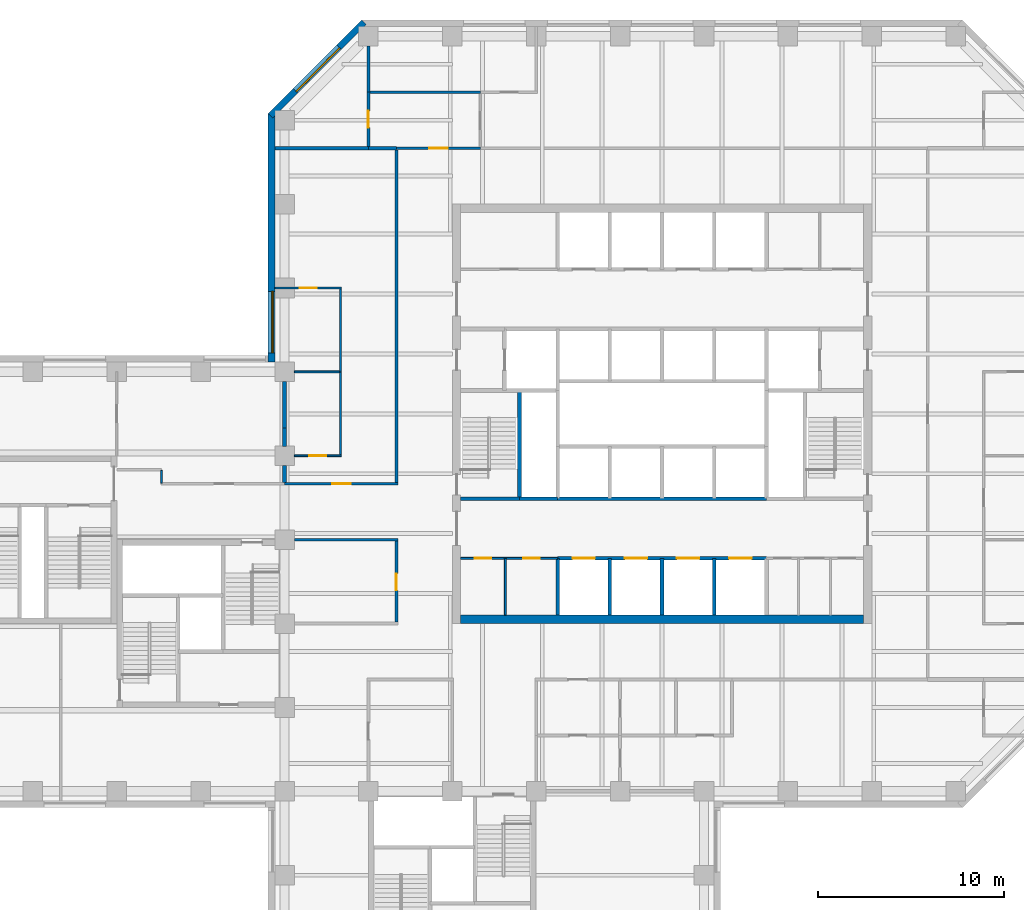
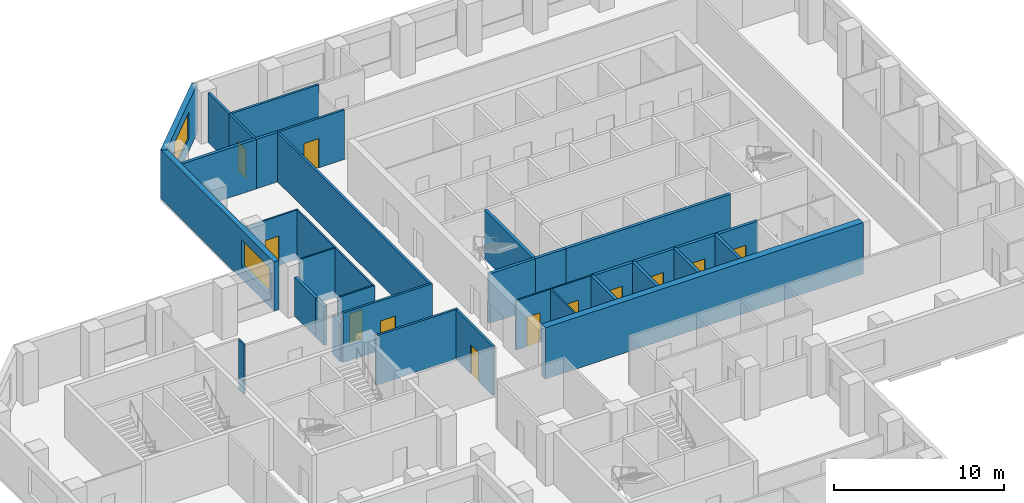
# One storey, part 6 of 10: 33 walls, 12 doors, 2 windows, 14 openings.
"""IFC4 building model written with IfcOpenShell, lengths in metres."""

from ifc_helpers import new_model, si_unit, direction, frame, frame_2d, origin, place, context, subcontext, project, spatial, rectangle, extrude, material, layer, layer_set, constituent, constituent_set, type_object, element, fill, save


model = new_model("IFC4")

# Units and contexts
model_context = context("Model", 3, precision=1e-05, world=origin(), true_north=direction((0.0, 1.0)))
body_context = subcontext(model_context, "Body", "Model", "MODEL_VIEW")
ifc_project = project(units=[si_unit("LENGTHUNIT", "METRE"), si_unit("AREAUNIT", "SQUARE_METRE"), si_unit("VOLUMEUNIT", "CUBIC_METRE"), si_unit("PLANEANGLEUNIT", "RADIAN"), si_unit("MASSUNIT", "GRAM", prefix="KILO")], contexts=[model_context])

# Site, building, storey
site_placement = place(None, origin())
site = spatial("IfcSite", under=ifc_project, at=site_placement, CompositionType="ELEMENT")
building_placement = place(site_placement, origin())
building = spatial("IfcBuilding", under=site, at=building_placement, Name="Quoin Convention Tower", CompositionType="ELEMENT")
storey_placement = place(building_placement, frame((0.0, 0.0, 86.300048828125)))
storey = spatial("IfcBuildingStorey", under=building, at=storey_placement, Name="L22", CompositionType="ELEMENT", Elevation=86.300048828125)

# Wall
ifc_material_1 = material(Name="Plasterboard")
ifc_layer_1 = layer(ifc_material_1, 0.012451171875, Name="Finish")
ifc_material_2 = material(Name="Steel stud framing", Category="steel")
ifc_layer_2 = layer(ifc_material_2, 0.125, Name="Structure")
ifc_layer_3 = layer(ifc_material_1, 0.012451171875, Name="Finish")
ifc_layer_set_1 = layer_set([ifc_layer_1, ifc_layer_2, ifc_layer_3], Name="Steel stud framing")
wall_type_1 = type_object("IfcWallType", Name="Acoustic partition 150", PredefinedType="PARTITIONING", material=ifc_layer_set_1)
wall_1_placement = place(storey_placement, frame((40.574951171875, 78.0, 0.0), z_axis=(0.0, 0.0, 1.0), x_axis=(1.0, 0.0, 0.0)))
element("IfcWall", 1, at=wall_1_placement, inside=storey, type_object=wall_type_1, Name="pw-L22-054", PredefinedType="PARTITIONING", context=body_context, shape_type="SweptSolid", body=[
    extrude(rectangle(XDim=5.925048828125, YDim=0.14990234375, at=frame_2d((2.96240234375, 0.0))), origin(), (0.0, 0.0, 1.0), 3.550048828125),
])

# Wall, opening, door
wall_2_placement = place(storey_placement, frame((40.5, 75.10009765625, 0.0), z_axis=(0.0, 0.0, 1.0), x_axis=(0.0, 1.0, 0.0)))
wall_2 = element("IfcWall", 2, at=wall_2_placement, inside=storey, type_object=wall_type_1, Name="pw-L22-100", PredefinedType="PARTITIONING", context=body_context, shape_type="SweptSolid", body=[
    extrude(rectangle(XDim=2.89990234375, YDim=0.14990234375, at=frame_2d((1.449951171875, 0.0))), origin(), (0.0, 0.0, 1.0), 3.550048828125),
])
opening_1_placement = place(wall_2_placement, frame((1.0, 0.0, 0.0)))
opening_1 = element("IfcOpeningElement", 3, at=opening_1_placement, cuts=wall_2, Name="Opening DOL2-29", PredefinedType="OPENING", context=body_context, shape_type="SweptSolid", body=[
    extrude(rectangle(XDim=0.89990234375, YDim=2.10009765625, at=frame_2d((0.449951171875, 1.050048828125))), frame((0.0, 0.0849609375, 0.0), z_axis=(0.0, -1.0, 0.0), x_axis=(1.0, 0.0, 0.0)), (0.0, 0.0, 1.0), 0.169921875),
])
ifc_material_3 = material(Name="Steel door leaf", Category="steel")
door_type_1 = type_object("IfcDoorType", Name="Office door 900 x 2100", OperationType="SINGLE_SWING_RIGHT", PredefinedType="DOOR", material=ifc_material_3)
door_1_placement = place(opening_1_placement, origin())
door_1 = element("IfcDoor", 4, at=door_1_placement, inside=storey, type_object=door_type_1, Name="dr-L22-34", OperationType="SINGLE_SWING_RIGHT", OverallHeight=2.10009765625, OverallWidth=0.89990234375, PredefinedType="DOOR", context=body_context, shape_type="SweptSolid", body=[
    extrude(rectangle(XDim=0.89990234375, YDim=2.10009765625, at=frame_2d((0.449951171875, 1.050048828125))), frame((0.0, 0.02490234375, 0.0), z_axis=(0.0, -1.0, 0.0), x_axis=(1.0, 0.0, 0.0)), (0.0, 0.0, 1.0), 0.050048828125),
])
fill(opening_1, door_1)

# Wall
wall_3_placement = place(storey_placement, frame((40.5, 78.0, 0.0), z_axis=(0.0, 0.0, 1.0), x_axis=(0.0, 1.0, 0.0)))
element("IfcWall", 5, at=wall_3_placement, inside=storey, type_object=wall_type_1, Name="pw-L22-102", PredefinedType="PARTITIONING", context=body_context, shape_type="SweptSolid", body=[
    extrude(rectangle(XDim=2.47509765625, YDim=0.14990234375, at=frame_2d((1.237548828125, 0.0))), origin(), (0.0, 0.0, 1.0), 3.550048828125),
])

# Wall, opening, window
ifc_material_4 = material(Name="Brick masonry", Category="masonry")
ifc_layer_4 = layer(ifc_material_4, 0.35009765625)
ifc_layer_set_2 = layer_set([ifc_layer_4], Name="Brick masonry")
wall_type_2 = type_object("IfcWallType", Name="Brick facade wall", PredefinedType="STANDARD", material=ifc_layer_set_2)
wall_4_placement = place(storey_placement, frame((40.26123046875, 81.751220703125, 0.0), z_axis=(0.0, 0.0, 1.0), x_axis=(-0.707106781187, -0.707106781187, 0.0)))
wall_4 = element("IfcWall", 6, at=wall_4_placement, inside=storey, type_object=wall_type_2, Name="fw-L22-40500_81000", PredefinedType="STANDARD", context=body_context, shape_type="SweptSolid", body=[
    extrude(rectangle(XDim=7.088623046875, YDim=0.35009765625, at=frame_2d((3.54443359375, 0.0))), origin(), (0.0, 0.0, 1.0), 3.52490234375),
])
opening_2_placement = place(wall_4_placement, frame((1.894287109375, 0.0, 0.89990234375)))
opening_2 = element("IfcOpeningElement", 7, at=opening_2_placement, cuts=wall_4, Name="Opening W-02", PredefinedType="OPENING", context=body_context, shape_type="SweptSolid", body=[
    extrude(rectangle(XDim=3.300048828125, YDim=1.89990234375, at=frame_2d((1.64990234375, 0.949951171875))), frame((0.0, 0.18505859375, 0.0), z_axis=(0.0, -1.0, 0.0), x_axis=(1.0, 0.0, 0.0)), (0.0, 0.0, 1.0), 0.3701171875),
])
ifc_material_5 = material(Name="Aluminium", Category="aluminium")
ifc_constituent_1 = constituent(ifc_material_5, Name="Frame")
ifc_material_6 = material(Name="Insulated glass", Category="glass")
ifc_constituent_2 = constituent(ifc_material_6, Name="Glazing")
ifc_constituent_set = constituent_set(constituents=[ifc_constituent_1, ifc_constituent_2], Name="Aluminium")
window_type = type_object("IfcWindowType", Name="Office window", PartitioningType="DOUBLE_PANEL_VERTICAL", PredefinedType="WINDOW", material=ifc_constituent_set)
window_1_placement = place(opening_2_placement, origin())
window_1 = element("IfcWindow", 8, at=window_1_placement, inside=storey, type_object=window_type, Name="win-L22-37755_79245", OverallHeight=1.89990234375, OverallWidth=3.300048828125, PartitioningType="SINGLE_PANEL", PredefinedType="WINDOW", context=body_context, shape_type="SweptSolid", body=[
    extrude(rectangle(XDim=3.300048828125, YDim=1.89990234375, at=frame_2d((1.64990234375, 0.949951171875))), frame((0.0, 0.0849609375, 0.0), z_axis=(0.0, -1.0, 0.0), x_axis=(1.0, 0.0, 0.0)), (0.0, 0.0, 1.0), 0.06005859375),
])
fill(opening_2, window_1)

wall_5_placement = place(storey_placement, frame((35.300048828125, 76.8623046875, 0.0), z_axis=(0.0, 0.0, 1.0), x_axis=(0.0, -1.0, 0.0)))
wall_5 = element("IfcWall", 9, at=wall_5_placement, inside=storey, type_object=wall_type_2, Name="fw-L22-36000_76500", PredefinedType="STANDARD", context=body_context, shape_type="SweptSolid", body=[
    extrude(rectangle(XDim=13.33740234375, YDim=0.35009765625, at=frame_2d((6.668701171875, 0.0))), origin(), (0.0, 0.0, 1.0), 3.52490234375),
])
opening_3_placement = place(wall_5_placement, frame((9.537353515625, 0.0, 0.89990234375)))
opening_3 = element("IfcOpeningElement", 10, at=opening_3_placement, cuts=wall_5, Name="Opening W-02", PredefinedType="OPENING", context=body_context, shape_type="SweptSolid", body=[
    extrude(rectangle(XDim=3.300048828125, YDim=1.89990234375, at=frame_2d((1.64990234375, 0.949951171875))), frame((0.0, 0.18505859375, 0.0), z_axis=(0.0, -1.0, 0.0), x_axis=(1.0, 0.0, 0.0)), (0.0, 0.0, 1.0), 0.3701171875),
])
window_2_placement = place(opening_3_placement, origin())
window_2 = element("IfcWindow", 11, at=window_2_placement, inside=storey, type_object=window_type, Name="win-L22-35300_65250", OverallHeight=1.89990234375, OverallWidth=3.300048828125, PartitioningType="SINGLE_PANEL", PredefinedType="WINDOW", context=body_context, shape_type="SweptSolid", body=[
    extrude(rectangle(XDim=3.300048828125, YDim=1.89990234375, at=frame_2d((1.64990234375, 0.949951171875))), frame((0.0, 0.0849609375, 0.0), z_axis=(0.0, -1.0, 0.0), x_axis=(1.0, 0.0, 0.0)), (0.0, 0.0, 1.0), 0.06005859375),
])
fill(opening_3, window_2)

# Wall, openings, doors
ifc_layer_5 = layer(ifc_material_1, 0.012451171875, Name="Finish")
ifc_layer_6 = layer(ifc_material_2, 0.074951171875, Name="Structure")
ifc_layer_7 = layer(ifc_material_1, 0.012451171875, Name="Finish")
ifc_layer_set_3 = layer_set([ifc_layer_5, ifc_layer_6, ifc_layer_7], Name="Steel stud framing")
wall_type_3 = type_object("IfcWallType", Name="Core partition wall", PredefinedType="PARTITIONING", material=ifc_layer_set_3)
wall_6_placement = place(storey_placement, frame((45.449951171875, 53.0, 0.0), z_axis=(0.0, 0.0, 1.0), x_axis=(1.0, 0.0, 0.0)))
wall_6 = element("IfcWall", 12, at=wall_6_placement, inside=storey, type_object=wall_type_3, Name="cr-C1-L22-h3500_450", PredefinedType="PARTITIONING", context=body_context, shape_type="SweptSolid", body=[
    extrude(rectangle(XDim=5.199951171875, YDim=0.10009765625, at=frame_2d((2.60009765625, 0.0))), origin(), (0.0, 0.0, 1.0), 3.550048828125),
])
opening_4_placement = place(wall_6_placement, frame((0.74609375, 0.0, 0.0)))
opening_4 = element("IfcOpeningElement", 13, at=opening_4_placement, cuts=wall_6, Name="Opening DCV2-33", PredefinedType="OPENING", context=body_context, shape_type="SweptSolid", body=[
    extrude(rectangle(XDim=0.89990234375, YDim=2.10009765625, at=frame_2d((0.449951171875, 1.050048828125))), frame((0.0, 0.06005859375, 0.0), z_axis=(0.0, -1.0, 0.0), x_axis=(1.0, 0.0, 0.0)), (0.0, 0.0, 1.0), 0.1201171875),
])
opening_5_placement = place(wall_6_placement, frame((3.345947265625, 0.0, 0.0)))
opening_5 = element("IfcOpeningElement", 14, at=opening_5_placement, cuts=wall_6, Name="Opening DCV2-34", PredefinedType="OPENING", context=body_context, shape_type="SweptSolid", body=[
    extrude(rectangle(XDim=0.89990234375, YDim=2.10009765625, at=frame_2d((0.449951171875, 1.050048828125))), frame((0.0, 0.06005859375, 0.0), z_axis=(0.0, -1.0, 0.0), x_axis=(1.0, 0.0, 0.0)), (0.0, 0.0, 1.0), 0.1201171875),
])
door_type_2 = type_object("IfcDoorType", Name="Core room door 900 x 2100", OperationType="SINGLE_SWING_LEFT", PredefinedType="DOOR", material=ifc_material_3)
door_2_placement = place(opening_4_placement, frame((0.89990234375, 0.0, 0.0), z_axis=(0.0, 0.0, 1.0), x_axis=(-1.0, 0.0, 0.0)))
door_2 = element("IfcDoor", 15, at=door_2_placement, inside=storey, type_object=door_type_2, Name="cd-C1-L22-CSW0-lobA-CD2213", OperationType="SINGLE_SWING_LEFT", OverallHeight=2.10009765625, OverallWidth=0.89990234375, PredefinedType="DOOR", context=body_context, shape_type="SweptSolid", body=[
    extrude(rectangle(XDim=0.89990234375, YDim=2.10009765625, at=frame_2d((0.449951171875, 1.050048828125))), frame((0.0, 0.02490234375, 0.0), z_axis=(0.0, -1.0, 0.0), x_axis=(1.0, 0.0, 0.0)), (0.0, 0.0, 1.0), 0.050048828125),
])
fill(opening_4, door_2)
door_3_placement = place(opening_5_placement, frame((0.89990234375, 0.0, 0.0), z_axis=(0.0, 0.0, 1.0), x_axis=(-1.0, 0.0, 0.0)))
door_3 = element("IfcDoor", 16, at=door_3_placement, inside=storey, type_object=door_type_2, Name="cd-C1-L22-CSW1-lobA-CD2214", OperationType="SINGLE_SWING_LEFT", OverallHeight=2.10009765625, OverallWidth=0.89990234375, PredefinedType="DOOR", context=body_context, shape_type="SweptSolid", body=[
    extrude(rectangle(XDim=0.89990234375, YDim=2.10009765625, at=frame_2d((0.449951171875, 1.050048828125))), frame((0.0, 0.02490234375, 0.0), z_axis=(0.0, -1.0, 0.0), x_axis=(1.0, 0.0, 0.0)), (0.0, 0.0, 1.0), 0.050048828125),
])
fill(opening_5, door_3)

# Wall
wall_7_placement = place(storey_placement, frame((47.842041015625, 49.949951171875, 0.0), z_axis=(0.0, 0.0, 1.0), x_axis=(0.0, 1.0, 0.0)))
element("IfcWall", 17, at=wall_7_placement, inside=storey, type_object=wall_type_3, Name="cr-C1-L22-v2842_450", PredefinedType="PARTITIONING", context=body_context, shape_type="SweptSolid", body=[
    extrude(rectangle(XDim=3.050048828125, YDim=0.10009765625, at=frame_2d((1.52490234375, 0.0))), origin(), (0.0, 0.0, 1.0), 3.550048828125),
])

# Wall, openings, doors
ifc_material_7 = material(Name="Concrete C50", Category="concrete")
ifc_layer_8 = layer(ifc_material_7, 0.199951171875)
ifc_layer_set_4 = layer_set([ifc_layer_8], Name="Concrete C50")
wall_type_4 = type_object("IfcWallType", Name="Core shaft wall", PredefinedType="SOLIDWALL", material=ifc_layer_set_4)
wall_8_placement = place(storey_placement, frame((50.64990234375, 53.0, 0.0), z_axis=(0.0, 0.0, 1.0), x_axis=(1.0, 0.0, 0.0)))
wall_8 = element("IfcWall", 18, at=wall_8_placement, inside=storey, type_object=wall_type_4, Name="cr-C1-L22-h3500_5650", PredefinedType="SOLIDWALL", context=body_context, shape_type="SweptSolid", body=[
    extrude(rectangle(XDim=11.2001953125, YDim=0.199951171875, at=frame_2d((5.60009765625, 0.0))), origin(), (0.0, 0.0, 1.0), 3.550048828125),
])
opening_6_placement = place(wall_8_placement, frame((0.800048828125, 0.0, 0.0)))
opening_6 = element("IfcOpeningElement", 19, at=opening_6_placement, cuts=wall_8, Name="Opening LDL1", PredefinedType="OPENING", context=body_context, shape_type="SweptSolid", body=[
    extrude(rectangle(XDim=1.199951171875, YDim=2.10009765625, at=frame_2d((0.60009765625, 1.050048828125))), frame((0.0, 0.10986328125, 0.0), z_axis=(0.0, -1.0, 0.0), x_axis=(1.0, 0.0, 0.0)), (0.0, 0.0, 1.0), 0.219970703125),
])
opening_7_placement = place(wall_8_placement, frame((3.60009765625, 0.0, 0.0)))
opening_7 = element("IfcOpeningElement", 20, at=opening_7_placement, cuts=wall_8, Name="Opening LDL2", PredefinedType="OPENING", context=body_context, shape_type="SweptSolid", body=[
    extrude(rectangle(XDim=1.199951171875, YDim=2.10009765625, at=frame_2d((0.60009765625, 1.050048828125))), frame((0.0, 0.10986328125, 0.0), z_axis=(0.0, -1.0, 0.0), x_axis=(1.0, 0.0, 0.0)), (0.0, 0.0, 1.0), 0.219970703125),
])
opening_8_placement = place(wall_8_placement, frame((6.39990234375, 0.0, 0.0)))
opening_8 = element("IfcOpeningElement", 21, at=opening_8_placement, cuts=wall_8, Name="Opening LDL3", PredefinedType="OPENING", context=body_context, shape_type="SweptSolid", body=[
    extrude(rectangle(XDim=1.199951171875, YDim=2.10009765625, at=frame_2d((0.60009765625, 1.050048828125))), frame((0.0, 0.10986328125, 0.0), z_axis=(0.0, -1.0, 0.0), x_axis=(1.0, 0.0, 0.0)), (0.0, 0.0, 1.0), 0.219970703125),
])
opening_9_placement = place(wall_8_placement, frame((9.199951171875, 0.0, 0.0)))
opening_9 = element("IfcOpeningElement", 22, at=opening_9_placement, cuts=wall_8, Name="Opening LDL4", PredefinedType="OPENING", context=body_context, shape_type="SweptSolid", body=[
    extrude(rectangle(XDim=1.199951171875, YDim=2.10009765625, at=frame_2d((0.60009765625, 1.050048828125))), frame((0.0, 0.10986328125, 0.0), z_axis=(0.0, -1.0, 0.0), x_axis=(1.0, 0.0, 0.0)), (0.0, 0.0, 1.0), 0.219970703125),
])
door_type_3 = type_object("IfcDoorType", Name="Lift landing door 1200 x 2100", OperationType="DOUBLE_DOOR_SLIDING", PredefinedType="DOOR", material=ifc_material_3)
door_4_placement = place(opening_6_placement, origin())
door_4 = element("IfcDoor", 23, at=door_4_placement, inside=storey, type_object=door_type_3, Name="cd-C1-L22-R10-lobA-LDL1", OperationType="DOUBLE_DOOR_SLIDING", OverallHeight=2.10009765625, OverallWidth=1.199951171875, PredefinedType="DOOR", context=body_context, shape_type="SweptSolid", body=[
    extrude(rectangle(XDim=1.199951171875, YDim=2.10009765625, at=frame_2d((0.60009765625, 1.050048828125))), frame((0.0, 0.02490234375, 0.0), z_axis=(0.0, -1.0, 0.0), x_axis=(1.0, 0.0, 0.0)), (0.0, 0.0, 1.0), 0.050048828125),
])
fill(opening_6, door_4)
door_5_placement = place(opening_7_placement, origin())
door_5 = element("IfcDoor", 24, at=door_5_placement, inside=storey, type_object=door_type_3, Name="cd-C1-L22-R11-lobA-LDL2", OperationType="DOUBLE_DOOR_SLIDING", OverallHeight=2.10009765625, OverallWidth=1.199951171875, PredefinedType="DOOR", context=body_context, shape_type="SweptSolid", body=[
    extrude(rectangle(XDim=1.199951171875, YDim=2.10009765625, at=frame_2d((0.60009765625, 1.050048828125))), frame((0.0, 0.02490234375, 0.0), z_axis=(0.0, -1.0, 0.0), x_axis=(1.0, 0.0, 0.0)), (0.0, 0.0, 1.0), 0.050048828125),
])
fill(opening_7, door_5)
door_6_placement = place(opening_8_placement, origin())
door_6 = element("IfcDoor", 25, at=door_6_placement, inside=storey, type_object=door_type_3, Name="cd-C1-L22-R12-lobA-LDL3", OperationType="DOUBLE_DOOR_SLIDING", OverallHeight=2.10009765625, OverallWidth=1.199951171875, PredefinedType="DOOR", context=body_context, shape_type="SweptSolid", body=[
    extrude(rectangle(XDim=1.199951171875, YDim=2.10009765625, at=frame_2d((0.60009765625, 1.050048828125))), frame((0.0, 0.02490234375, 0.0), z_axis=(0.0, -1.0, 0.0), x_axis=(1.0, 0.0, 0.0)), (0.0, 0.0, 1.0), 0.050048828125),
])
fill(opening_8, door_6)
door_7_placement = place(opening_9_placement, origin())
door_7 = element("IfcDoor", 26, at=door_7_placement, inside=storey, type_object=door_type_3, Name="cd-C1-L22-R13-lobA-LDL4", OperationType="DOUBLE_DOOR_SLIDING", OverallHeight=2.10009765625, OverallWidth=1.199951171875, PredefinedType="DOOR", context=body_context, shape_type="SweptSolid", body=[
    extrude(rectangle(XDim=1.199951171875, YDim=2.10009765625, at=frame_2d((0.60009765625, 1.050048828125))), frame((0.0, 0.02490234375, 0.0), z_axis=(0.0, -1.0, 0.0), x_axis=(1.0, 0.0, 0.0)), (0.0, 0.0, 1.0), 0.050048828125),
])
fill(opening_9, door_7)

# Walls
wall_9_placement = place(storey_placement, frame((48.60009765625, 56.199951171875, 0.0), z_axis=(0.0, 0.0, 1.0), x_axis=(1.0, 0.0, 0.0)))
element("IfcWall", 27, at=wall_9_placement, inside=storey, type_object=wall_type_4, Name="cr-C1-L22-h6700_3600", PredefinedType="SOLIDWALL", context=body_context, shape_type="SweptSolid", body=[
    extrude(rectangle(XDim=2.0498046875, YDim=0.199951171875, at=frame_2d((1.02490234375, 0.0))), origin(), (0.0, 0.0, 1.0), 3.550048828125),
])
wall_10_placement = place(storey_placement, frame((45.449951171875, 56.199951171875, 0.0), z_axis=(0.0, 0.0, 1.0), x_axis=(1.0, 0.0, 0.0)))
element("IfcWall", 28, at=wall_10_placement, inside=storey, type_object=wall_type_4, Name="cr-C1-L22-h6700_450", PredefinedType="SOLIDWALL", context=body_context, shape_type="SweptSolid", body=[
    extrude(rectangle(XDim=3.150146484375, YDim=0.199951171875, at=frame_2d((1.5751953125, 0.0))), origin(), (0.0, 0.0, 1.0), 3.550048828125),
])
wall_11_placement = place(storey_placement, frame((50.64990234375, 56.199951171875, 0.0), z_axis=(0.0, 0.0, 1.0), x_axis=(1.0, 0.0, 0.0)))
element("IfcWall", 29, at=wall_11_placement, inside=storey, type_object=wall_type_4, Name="cr-C1-L22-h6700_5650", PredefinedType="SOLIDWALL", context=body_context, shape_type="SweptSolid", body=[
    extrude(rectangle(XDim=11.2001953125, YDim=0.199951171875, at=frame_2d((5.60009765625, 0.0))), origin(), (0.0, 0.0, 1.0), 3.550048828125),
])
wall_12_placement = place(storey_placement, frame((48.60009765625, 56.199951171875, 0.0), z_axis=(0.0, 0.0, 1.0), x_axis=(0.0, 1.0, 0.0)))
element("IfcWall", 30, at=wall_12_placement, inside=storey, type_object=wall_type_4, Name="cr-C1-L22-v3600_6700", PredefinedType="SOLIDWALL", context=body_context, shape_type="SweptSolid", body=[
    extrude(rectangle(XDim=5.800048828125, YDim=0.199951171875, at=frame_2d((2.89990234375, 0.0))), origin(), (0.0, 0.0, 1.0), 3.550048828125),
])
for number, where, z_axis, x_axis, name in (
    (31, (50.64990234375, 49.949951171875, 0.0), (0.0, 0.0, 1.0), (0.0, 1.0, 0.0), "cr-C1-L22-v5650_450"),
    (32, (53.449951171875, 49.949951171875, 0.0), (0.0, 0.0, 1.0), (0.0, 1.0, 0.0), "cr-C1-L22-v8450_450"),
    (33, (56.25, 49.949951171875, 0.0), (0.0, 0.0, 1.0), (0.0, 1.0, 0.0), "cr-C1-L22-v11250_450"),
    (34, (59.050048828125, 49.949951171875, 0.0), (0.0, 0.0, 1.0), (0.0, 1.0, 0.0), "cr-C1-L22-v14050_450"),
):
    element("IfcWall", number, at=place(storey_placement, frame(where, z_axis=z_axis, x_axis=x_axis)), inside=storey, type_object=wall_type_4, Name=name, PredefinedType="SOLIDWALL", context=body_context, shape_type="SweptSolid", body=[
        extrude(rectangle(XDim=3.050048828125, YDim=0.199951171875, at=frame_2d((1.52490234375, 0.0))), origin(), (0.0, 0.0, 1.0), 3.550048828125),
    ])
ifc_layer_9 = layer(ifc_material_1, 0.012451171875, Name="Finish")
ifc_layer_10 = layer(ifc_material_2, 0.125, Name="Structure")
ifc_layer_11 = layer(ifc_material_1, 0.012451171875, Name="Finish")
ifc_layer_set_5 = layer_set([ifc_layer_9, ifc_layer_10, ifc_layer_11], Name="Steel stud framing")
wall_type_5 = type_object("IfcWallType", Name="Corridor wall 150", PredefinedType="PARTITIONING", material=ifc_layer_set_5)
wall_13_placement = place(storey_placement, frame((36.52490234375, 54.0, 0.0), z_axis=(0.0, 0.0, 1.0), x_axis=(1.0, 0.0, 0.0)))
element("IfcWall", 35, at=wall_13_placement, inside=storey, type_object=wall_type_5, Name="pw-L22-035", PredefinedType="PARTITIONING", context=body_context, shape_type="SweptSolid", body=[
    extrude(rectangle(XDim=5.550048828125, YDim=0.14990234375, at=frame_2d((2.77490234375, 0.0))), origin(), (0.0, 0.0, 1.0), 3.550048828125),
])

# Wall, opening, door
wall_14_placement = place(storey_placement, frame((36.0, 57.0, 0.0), z_axis=(0.0, 0.0, 1.0), x_axis=(1.0, 0.0, 0.0)))
wall_14 = element("IfcWall", 36, at=wall_14_placement, inside=storey, type_object=wall_type_5, Name="pw-L22-038", PredefinedType="PARTITIONING", context=body_context, shape_type="SweptSolid", body=[
    extrude(rectangle(XDim=6.074951171875, YDim=0.14990234375, at=frame_2d((3.03759765625, 0.0))), origin(), (0.0, 0.0, 1.0), 3.550048828125),
])
opening_10_placement = place(wall_14_placement, frame((2.550048828125, 0.0, 0.0)))
opening_10 = element("IfcOpeningElement", 37, at=opening_10_placement, cuts=wall_14, Name="Opening DOL2-13", PredefinedType="OPENING", context=body_context, shape_type="SweptSolid", body=[
    extrude(rectangle(XDim=1.0, YDim=2.10009765625, at=frame_2d((0.5, 1.050048828125))), frame((0.0, 0.0849609375, 0.0), z_axis=(0.0, -1.0, 0.0), x_axis=(1.0, 0.0, 0.0)), (0.0, 0.0, 1.0), 0.169921875),
])
door_type_4 = type_object("IfcDoorType", Name="Tenancy entrance door 1000 x 2100", OperationType="DOUBLE_DOOR_SINGLE_SWING", PredefinedType="DOOR", material=ifc_material_3)
door_8_placement = place(opening_10_placement, origin())
door_8 = element("IfcDoor", 38, at=door_8_placement, inside=storey, type_object=door_type_4, Name="dr-L22-36", OperationType="DOUBLE_DOOR_SINGLE_SWING", OverallHeight=2.10009765625, OverallWidth=1.0, PredefinedType="DOOR", context=body_context, shape_type="SweptSolid", body=[
    extrude(rectangle(XDim=1.0, YDim=2.10009765625, at=frame_2d((0.5, 1.050048828125))), frame((0.0, 0.02490234375, 0.0), z_axis=(0.0, -1.0, 0.0), x_axis=(1.0, 0.0, 0.0)), (0.0, 0.0, 1.0), 0.050048828125),
])
fill(opening_10, door_8)

wall_15_placement = place(storey_placement, frame((42.0, 75.0, 0.0), z_axis=(0.0, 0.0, 1.0), x_axis=(1.0, 0.0, 0.0)))
wall_15 = element("IfcWall", 39, at=wall_15_placement, inside=storey, type_object=wall_type_5, Name="pw-L22-050", PredefinedType="PARTITIONING", context=body_context, shape_type="SweptSolid", body=[
    extrude(rectangle(XDim=4.5, YDim=0.14990234375, at=frame_2d((2.25, 0.0))), origin(), (0.0, 0.0, 1.0), 3.550048828125),
])
opening_11_placement = place(wall_15_placement, frame((1.75, 0.0, 0.0)))
opening_11 = element("IfcOpeningElement", 40, at=opening_11_placement, cuts=wall_15, Name="Opening DOL2-17", PredefinedType="OPENING", context=body_context, shape_type="SweptSolid", body=[
    extrude(rectangle(XDim=1.0, YDim=2.10009765625, at=frame_2d((0.5, 1.050048828125))), frame((0.0, 0.0849609375, 0.0), z_axis=(0.0, -1.0, 0.0), x_axis=(1.0, 0.0, 0.0)), (0.0, 0.0, 1.0), 0.169921875),
])
door_9_placement = place(opening_11_placement, frame((1.0, 0.0, 0.0), z_axis=(0.0, 0.0, 1.0), x_axis=(-1.0, 0.0, 0.0)))
door_9 = element("IfcDoor", 41, at=door_9_placement, inside=storey, type_object=door_type_4, Name="dr-L22-31", OperationType="DOUBLE_DOOR_SINGLE_SWING", OverallHeight=2.10009765625, OverallWidth=1.0, PredefinedType="DOOR", context=body_context, shape_type="SweptSolid", body=[
    extrude(rectangle(XDim=1.0, YDim=2.10009765625, at=frame_2d((0.5, 1.050048828125))), frame((0.0, 0.02490234375, 0.0), z_axis=(0.0, -1.0, 0.0), x_axis=(1.0, 0.0, 0.0)), (0.0, 0.0, 1.0), 0.050048828125),
])
fill(opening_11, door_9)

wall_16_placement = place(storey_placement, frame((42.0, 49.574951171875, 0.0), z_axis=(0.0, 0.0, 1.0), x_axis=(0.0, 1.0, 0.0)))
wall_16 = element("IfcWall", 42, at=wall_16_placement, inside=storey, type_object=wall_type_5, Name="pw-L22-084", PredefinedType="PARTITIONING", context=body_context, shape_type="SweptSolid", body=[
    extrude(rectangle(XDim=4.35009765625, YDim=0.14990234375, at=frame_2d((2.175048828125, 0.0))), origin(), (0.0, 0.0, 1.0), 3.550048828125),
])
opening_12_placement = place(wall_16_placement, frame((1.699951171875, 0.0, 0.0)))
opening_12 = element("IfcOpeningElement", 43, at=opening_12_placement, cuts=wall_16, Name="Opening DOL2-26", PredefinedType="OPENING", context=body_context, shape_type="SweptSolid", body=[
    extrude(rectangle(XDim=0.89990234375, YDim=2.10009765625, at=frame_2d((0.449951171875, 1.050048828125))), frame((0.0, 0.0849609375, 0.0), z_axis=(0.0, -1.0, 0.0), x_axis=(1.0, 0.0, 0.0)), (0.0, 0.0, 1.0), 0.169921875),
])
door_10_placement = place(opening_12_placement, origin())
door_10 = element("IfcDoor", 44, at=door_10_placement, inside=storey, type_object=door_type_1, Name="dr-L22-01", OperationType="SINGLE_SWING_RIGHT", OverallHeight=2.10009765625, OverallWidth=0.89990234375, PredefinedType="DOOR", context=body_context, shape_type="SweptSolid", body=[
    extrude(rectangle(XDim=0.89990234375, YDim=2.10009765625, at=frame_2d((0.449951171875, 1.050048828125))), frame((0.0, 0.02490234375, 0.0), z_axis=(0.0, -1.0, 0.0), x_axis=(1.0, 0.0, 0.0)), (0.0, 0.0, 1.0), 0.050048828125),
])
fill(opening_12, door_10)

# Walls
wall_17_placement = place(storey_placement, frame((42.0, 57.074951171875, 0.0), z_axis=(0.0, 0.0, 1.0), x_axis=(0.0, 1.0, 0.0)))
element("IfcWall", 45, at=wall_17_placement, inside=storey, type_object=wall_type_5, Name="pw-L22-089", PredefinedType="PARTITIONING", context=body_context, shape_type="SweptSolid", body=[
    extrude(rectangle(XDim=17.824951171875, YDim=0.14990234375, at=frame_2d((8.91259765625, 0.0))), origin(), (0.0, 0.0, 1.0), 3.550048828125),
])
ifc_material_8 = material(Name="Concrete C65", Category="concrete")
ifc_layer_12 = layer(ifc_material_8, 0.449951171875)
ifc_layer_set_6 = layer_set([ifc_layer_12], Name="Concrete C65")
wall_type_6 = type_object("IfcWallType", Name="RC CORE WALL 450 C65", PredefinedType="SHEAR", material=ifc_layer_set_6)
wall_18_placement = place(storey_placement, frame((45.449951171875, 49.72509765625, 0.0), z_axis=(0.0, 0.0, 1.0), x_axis=(1.0, 0.0, 0.0)))
element("IfcWall", 46, at=wall_18_placement, inside=storey, type_object=wall_type_6, Name="cwl-C1-L22-S", PredefinedType="SHEAR", context=body_context, shape_type="SweptSolid", body=[
    extrude(rectangle(XDim=21.60009765625, YDim=0.449951171875, at=frame_2d((10.800048828125, 0.0))), origin(), (0.0, 0.0, 1.0), 3.699951171875),
])

# Wall, opening, door
ifc_layer_13 = layer(ifc_material_1, 0.012451171875, Name="Finish")
ifc_layer_14 = layer(ifc_material_2, 0.074951171875, Name="Structure")
ifc_layer_15 = layer(ifc_material_1, 0.012451171875, Name="Finish")
ifc_layer_set_7 = layer_set([ifc_layer_13, ifc_layer_14, ifc_layer_15], Name="Steel stud framing")
wall_type_7 = type_object("IfcWallType", Name="Stud partition 100", PredefinedType="PARTITIONING", material=ifc_layer_set_7)
wall_19_placement = place(storey_placement, frame((36.52490234375, 58.5, 0.0), z_axis=(0.0, 0.0, 1.0), x_axis=(1.0, 0.0, 0.0)))
wall_19 = element("IfcWall", 47, at=wall_19_placement, inside=storey, type_object=wall_type_7, Name="pw-L22-040", PredefinedType="PARTITIONING", context=body_context, shape_type="SweptSolid", body=[
    extrude(rectangle(XDim=2.525146484375, YDim=0.10009765625, at=frame_2d((1.2626953125, 0.0))), origin(), (0.0, 0.0, 1.0), 3.550048828125),
])
opening_13_placement = place(wall_19_placement, frame((0.800048828125, 0.0, 0.0)))
opening_13 = element("IfcOpeningElement", 48, at=opening_13_placement, cuts=wall_19, Name="Opening DOL2-14", PredefinedType="OPENING", context=body_context, shape_type="SweptSolid", body=[
    extrude(rectangle(XDim=0.89990234375, YDim=2.10009765625, at=frame_2d((0.449951171875, 1.050048828125))), frame((0.0, 0.06005859375, 0.0), z_axis=(0.0, -1.0, 0.0), x_axis=(1.0, 0.0, 0.0)), (0.0, 0.0, 1.0), 0.1201171875),
])
door_11_placement = place(opening_13_placement, frame((0.89990234375, 0.0, 0.0), z_axis=(0.0, 0.0, 1.0), x_axis=(-1.0, 0.0, 0.0)))
door_11 = element("IfcDoor", 49, at=door_11_placement, inside=storey, type_object=door_type_1, Name="dr-L22-37", OperationType="SINGLE_SWING_LEFT", OverallHeight=2.10009765625, OverallWidth=0.89990234375, PredefinedType="DOOR", context=body_context, shape_type="SweptSolid", body=[
    extrude(rectangle(XDim=0.89990234375, YDim=2.10009765625, at=frame_2d((0.449951171875, 1.050048828125))), frame((0.0, 0.02490234375, 0.0), z_axis=(0.0, -1.0, 0.0), x_axis=(1.0, 0.0, 0.0)), (0.0, 0.0, 1.0), 0.050048828125),
])
fill(opening_13, door_11)

# Wall
wall_20_placement = place(storey_placement, frame((36.52490234375, 63.0, 0.0), z_axis=(0.0, 0.0, 1.0), x_axis=(1.0, 0.0, 0.0)))
element("IfcWall", 50, at=wall_20_placement, inside=storey, type_object=wall_type_7, Name="pw-L22-045", PredefinedType="PARTITIONING", context=body_context, shape_type="SweptSolid", body=[
    extrude(rectangle(XDim=2.425048828125, YDim=0.10009765625, at=frame_2d((1.21240234375, 0.0))), origin(), (0.0, 0.0, 1.0), 3.550048828125),
])

# Wall, opening, door
wall_21_placement = place(storey_placement, frame((35.47509765625, 67.5, 0.0), z_axis=(0.0, 0.0, 1.0), x_axis=(1.0, 0.0, 0.0)))
wall_21 = element("IfcWall", 51, at=wall_21_placement, inside=storey, type_object=wall_type_7, Name="pw-L22-047", PredefinedType="PARTITIONING", context=body_context, shape_type="SweptSolid", body=[
    extrude(rectangle(XDim=3.574951171875, YDim=0.10009765625, at=frame_2d((1.78759765625, 0.0))), origin(), (0.0, 0.0, 1.0), 3.550048828125),
])
opening_14_placement = place(wall_21_placement, frame((1.35009765625, 0.0, 0.0)))
opening_14 = element("IfcOpeningElement", 52, at=opening_14_placement, cuts=wall_21, Name="Opening DOL2-16", PredefinedType="OPENING", context=body_context, shape_type="SweptSolid", body=[
    extrude(rectangle(XDim=0.89990234375, YDim=2.10009765625, at=frame_2d((0.449951171875, 1.050048828125))), frame((0.0, 0.06005859375, 0.0), z_axis=(0.0, -1.0, 0.0), x_axis=(1.0, 0.0, 0.0)), (0.0, 0.0, 1.0), 0.1201171875),
])
door_12_placement = place(opening_14_placement, origin())
door_12 = element("IfcDoor", 53, at=door_12_placement, inside=storey, type_object=door_type_1, Name="dr-L22-38", OperationType="SINGLE_SWING_RIGHT", OverallHeight=2.10009765625, OverallWidth=0.89990234375, PredefinedType="DOOR", context=body_context, shape_type="SweptSolid", body=[
    extrude(rectangle(XDim=0.89990234375, YDim=2.10009765625, at=frame_2d((0.449951171875, 1.050048828125))), frame((0.0, 0.02490234375, 0.0), z_axis=(0.0, -1.0, 0.0), x_axis=(1.0, 0.0, 0.0)), (0.0, 0.0, 1.0), 0.050048828125),
])
fill(opening_14, door_12)

# Walls
for number, where, z_axis, x_axis, name in (
    (54, (39.0, 58.550048828125, 0.0), (0.0, 0.0, 1.0), (0.0, 1.0, 0.0), "pw-L22-091"),
    (55, (39.0, 63.0, 0.0), (0.0, 0.0, 1.0), (0.0, 1.0, 0.0), "pw-L22-098"),
):
    element("IfcWall", number, at=place(storey_placement, frame(where, z_axis=z_axis, x_axis=x_axis)), inside=storey, type_object=wall_type_7, Name=name, PredefinedType="PARTITIONING", context=body_context, shape_type="SweptSolid", body=[
        extrude(rectangle(XDim=4.449951171875, YDim=0.10009765625, at=frame_2d((2.22509765625, 0.0))), origin(), (0.0, 0.0, 1.0), 3.550048828125),
    ])
wall_22_placement = place(storey_placement, frame((29.39990234375, 57.715087890625, 0.0), z_axis=(0.0, 0.0, 1.0), x_axis=(0.0, -1.0, 0.0)))
element("IfcWall", 56, at=wall_22_placement, inside=storey, type_object=wall_type_7, Name="pw-L22-w04", PredefinedType="PARTITIONING", context=body_context, shape_type="SweptSolid", body=[
    extrude(rectangle(XDim=0.68017578125, YDim=0.10009765625, at=frame_2d((0.340087890625, 0.0))), origin(), (0.0, 0.0, 1.0), 3.550048828125),
])
ifc_layer_16 = layer(ifc_material_1, 0.012451171875, Name="Finish")
ifc_layer_17 = layer(ifc_material_2, 0.175048828125, Name="Structure")
ifc_layer_18 = layer(ifc_material_1, 0.012451171875, Name="Finish")
ifc_layer_set_8 = layer_set([ifc_layer_16, ifc_layer_17, ifc_layer_18], Name="Steel stud framing")
wall_type_8 = type_object("IfcWallType", Name="Tenancy demising wall 200", PredefinedType="PARTITIONING", material=ifc_layer_set_8)
wall_23_placement = place(storey_placement, frame((35.47509765625, 75.0, 0.0), z_axis=(0.0, 0.0, 1.0), x_axis=(1.0, 0.0, 0.0)))
element("IfcWall", 57, at=wall_23_placement, inside=storey, type_object=wall_type_8, Name="pw-L22-048", PredefinedType="PARTITIONING", context=body_context, shape_type="SweptSolid", body=[
    extrude(rectangle(XDim=5.02490234375, YDim=0.199951171875, at=frame_2d((2.512451171875, 0.0))), origin(), (0.0, 0.0, 1.0), 3.550048828125),
])
wall_24_placement = place(storey_placement, frame((40.5, 75.0, 0.0), z_axis=(0.0, 0.0, 1.0), x_axis=(1.0, 0.0, 0.0)))
element("IfcWall", 58, at=wall_24_placement, inside=storey, type_object=wall_type_8, Name="pw-L22-049", PredefinedType="PARTITIONING", context=body_context, shape_type="SweptSolid", body=[
    extrude(rectangle(XDim=1.5, YDim=0.199951171875, at=frame_2d((0.75, 0.0))), origin(), (0.0, 0.0, 1.0), 3.550048828125),
])
ifc_layer_19 = layer(ifc_material_1, 0.012451171875, Name="Finish")
ifc_layer_20 = layer(ifc_material_2, 0.175048828125, Name="Structure")
ifc_layer_21 = layer(ifc_material_1, 0.012451171875, Name="Finish")
ifc_layer_set_9 = layer_set([ifc_layer_19, ifc_layer_20, ifc_layer_21], Name="Steel stud framing")
wall_type_9 = type_object("IfcWallType", Name="Tenancy demising wall 200 under beam 750", PredefinedType="PARTITIONING", material=ifc_layer_set_9)
wall_25_placement = place(storey_placement, frame((36.0, 57.074951171875, 0.0), z_axis=(0.0, 0.0, 1.0), x_axis=(0.0, 1.0, 0.0)))
element("IfcWall", 59, at=wall_25_placement, inside=storey, type_object=wall_type_9, Name="pw-L22-088", PredefinedType="PARTITIONING", context=body_context, shape_type="SweptSolid", body=[
    extrude(rectangle(XDim=0.900146484375, YDim=0.199951171875, at=frame_2d((0.4501953125, 0.0))), origin(), (0.0, 0.0, 1.0), 2.800048828125),
])
wall_26_placement = place(storey_placement, frame((36.0, 58.9951171875, 0.0), z_axis=(0.0, 0.0, 1.0), x_axis=(0.0, 1.0, 0.0)))
element("IfcWall", 60, at=wall_26_placement, inside=storey, type_object=wall_type_9, Name="pw-L22-092", PredefinedType="PARTITIONING", context=body_context, shape_type="SweptSolid", body=[
    extrude(rectangle(XDim=1.0048828125, YDim=0.199951171875, at=frame_2d((0.50244140625, 0.0))), origin(), (0.0, 0.0, 1.0), 2.800048828125),
])
wall_27_placement = place(storey_placement, frame((36.0, 60.0, 0.0), z_axis=(0.0, 0.0, 1.0), x_axis=(0.0, 1.0, 0.0)))
element("IfcWall", 61, at=wall_27_placement, inside=storey, type_object=wall_type_9, Name="pw-L22-094", PredefinedType="PARTITIONING", context=body_context, shape_type="SweptSolid", body=[
    extrude(rectangle(XDim=2.47509765625, YDim=0.199951171875, at=frame_2d((1.237548828125, 0.0))), origin(), (0.0, 0.0, 1.0), 2.800048828125),
])

save(model, "model.ifc")
